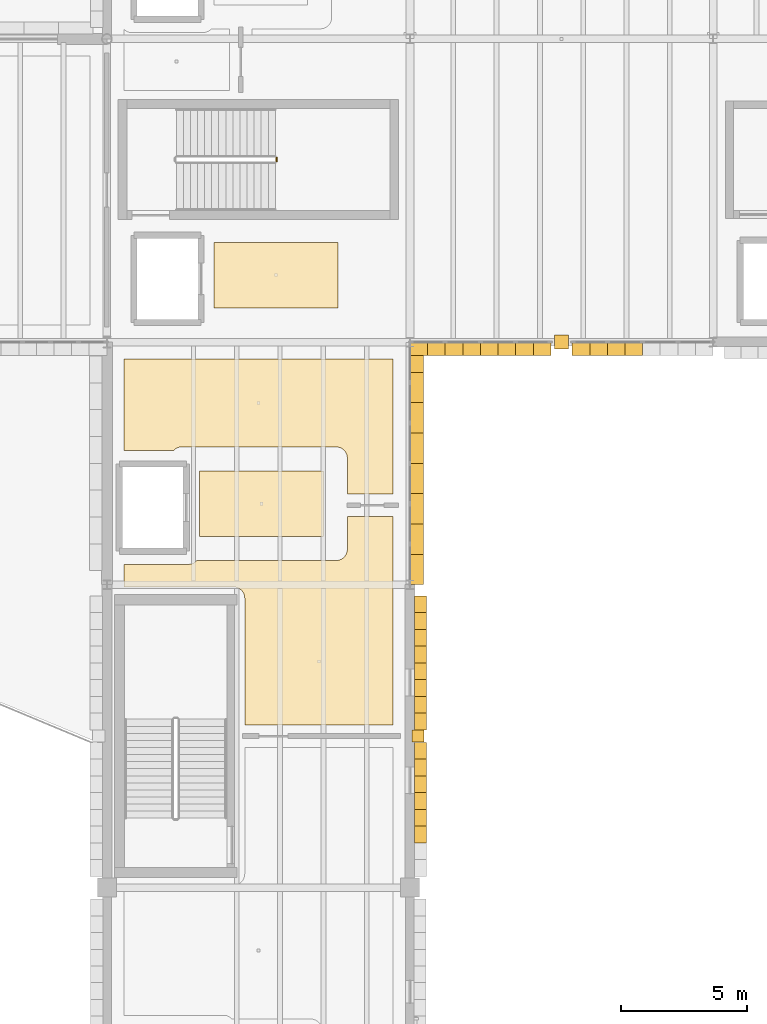
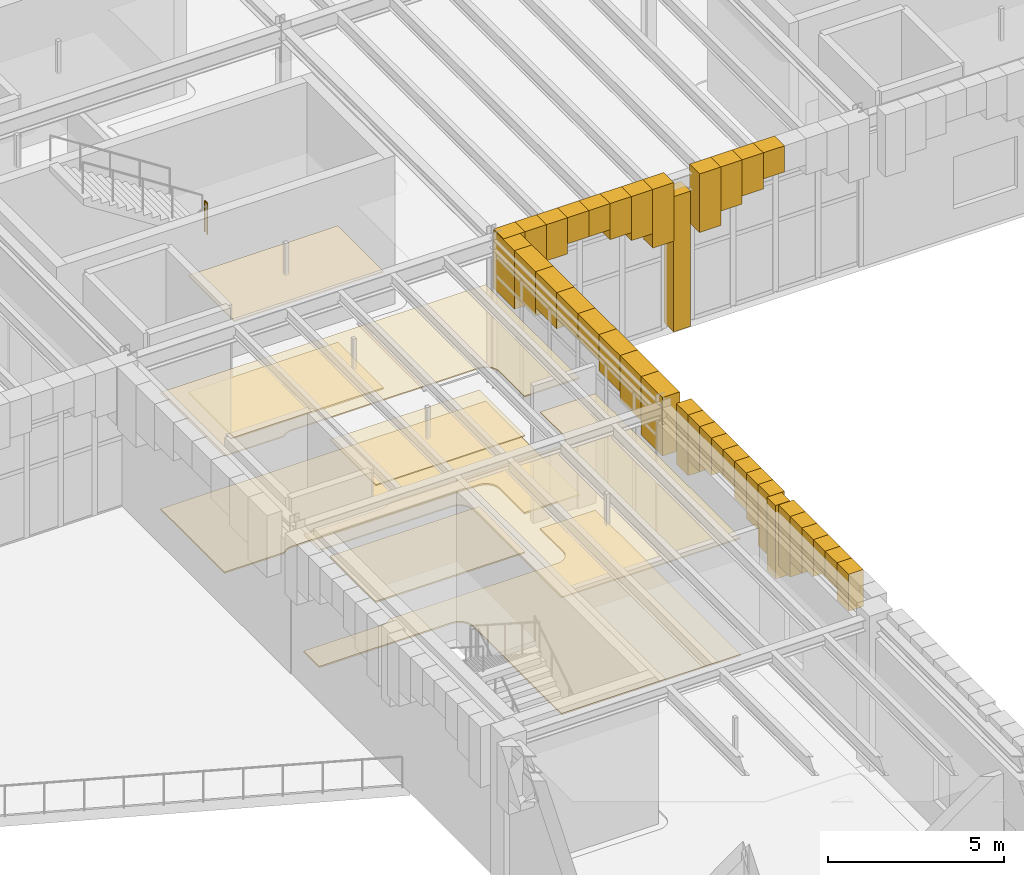
# One storey, part 97 of 103: 44 coverings, 1 railing.
"""IFC4 building model written with IfcOpenShell, lengths in metres."""

import ifcopenshell
import ifcopenshell.guid

model = None  # the IFC model being written
_history = None  # IfcOwnerHistory: only IFC2X3 demands one
_inside = {}  # id of a spatial element -> (the spatial element, [elements in it])
_under = {}  # id of a project, library or spatial element -> (it, [spatial elements below it])
_declared = {}  # id of a project -> (the project, [libraries it declares])
_typed = {}  # id of a type object -> (the type object, [elements of that type])
_made_of = {}  # id of a material, layer set ... -> (it, [elements and type objects made of it])


def new_model(schema):
    """Start an empty IFC model of exactly this schema.

    Asked for "IFC4X3", IfcOpenShell would pick the latest addendum, in which some entities
    have other attributes; the version numbers below select the first issue.
    IFC2X3 requires an IfcOwnerHistory on every rooted entity: one is made here for all.
    """
    global model, _history
    if schema == "IFC4X3":
        model = ifcopenshell.file(schema_version=(4, 3, 0, 0))
    else:
        model = ifcopenshell.file(schema=schema)
    _inside.clear()
    _under.clear()
    _declared.clear()
    _typed.clear()
    _made_of.clear()
    _history = None
    if model.schema == "IFC2X3":
        org = make("IfcOrganization", Name="unknown")
        user = make(
            "IfcPersonAndOrganization",
            ThePerson=make("IfcPerson", FamilyName="unknown"),
            TheOrganization=org,
        )
        app = make(
            "IfcApplication",
            ApplicationDeveloper=org,
            Version="unknown",
            ApplicationFullName="unknown",
            ApplicationIdentifier="unknown",
        )
        _history = make(
            "IfcOwnerHistory",
            OwningUser=user,
            OwningApplication=app,
            ChangeAction="ADDED",
            CreationDate=0,
        )
    return model


def make(cls, **values):
    """One entity of the class cls with the attributes given. An attribute that is None is left unset."""
    return model.create_entity(
        cls, **{name: value for name, value in values.items() if value is not None}
    )


def rooted(cls, **values):
    """An entity with a GlobalId (a new one), such as an element, a storey or a relation."""
    return make(cls, GlobalId=ifcopenshell.guid.new(), OwnerHistory=_history, **values)


def si_unit(unit_type, name, prefix=None):
    """IfcSIUnit, for example si_unit("LENGTHUNIT", "METRE", prefix="MILLI")."""
    return make("IfcSIUnit", UnitType=unit_type, Prefix=prefix, Name=name)


def assignment(units):
    """IfcUnitAssignment: the units of a project."""
    return None if units is None else make("IfcUnitAssignment", Units=units)


def point(xyz):
    """IfcCartesianPoint."""
    return None if xyz is None else make("IfcCartesianPoint", Coordinates=xyz)


def direction(xyz):
    """IfcDirection."""
    return None if xyz is None else make("IfcDirection", DirectionRatios=xyz)


def frame(location, z_axis=None, x_axis=None):
    """IfcAxis2Placement3D, a coordinate frame: its origin and axes. An axis left out is left unset."""
    return make(
        "IfcAxis2Placement3D",
        Location=point(location),
        Axis=direction(z_axis),
        RefDirection=direction(x_axis),
    )


def frame_2d(location, x_axis=None):
    """IfcAxis2Placement2D, a coordinate frame in the plane: its origin and x axis."""
    return make(
        "IfcAxis2Placement2D", Location=point(location), RefDirection=direction(x_axis)
    )


def origin():
    """The frame at (0, 0, 0) with its axes left unset."""
    return frame((0.0, 0.0, 0.0))


def origin_2d():
    """The frame at (0, 0) in the plane with its x axis left unset."""
    return frame_2d((0.0, 0.0))


def place(relative_to, where):
    """IfcLocalPlacement: puts the frame where relative to a parent placement (None: the world)."""
    return make(
        "IfcLocalPlacement", PlacementRelTo=relative_to, RelativePlacement=where
    )


def context(
    kind, dimensions, precision=None, world=None, true_north=None, identifier=None
):
    """IfcGeometricRepresentationContext, for example the 3D "Model" context."""
    return make(
        "IfcGeometricRepresentationContext",
        ContextIdentifier=identifier,
        ContextType=kind,
        CoordinateSpaceDimension=dimensions,
        Precision=precision,
        WorldCoordinateSystem=world,
        TrueNorth=true_north,
    )


def subcontext(parent, identifier, kind, view, scale=None):
    """IfcGeometricRepresentationSubContext, for example "Body" below "Model"."""
    return make(
        "IfcGeometricRepresentationSubContext",
        ContextIdentifier=identifier,
        ContextType=kind,
        ParentContext=parent,
        TargetScale=scale,
        TargetView=view,
    )


def project(units=None, contexts=None):
    """IfcProject with its units and contexts."""
    return rooted(
        "IfcProject",
        Name="project",
        RepresentationContexts=contexts,
        UnitsInContext=assignment(units),
    )


def spatial(cls, under=None, at=None, **own):
    """A site, building, storey or space (cls), placed at a placement, below another one or the project."""
    s = rooted(cls, ObjectPlacement=at, **own)
    if under is not None:
        _under.setdefault(under.id(), (under, []))[1].append(s)
    return s


def polyline(points):
    """IfcPolyline through the points."""
    return make("IfcPolyline", Points=[point(p) for p in points])


def profile(cls, at=None, kind="AREA", **sizes):
    """A parametric profile (cls). Its sizes go by their IFC names, for example OverallWidth=200.0."""
    return make(cls, ProfileType=kind, Position=at, **sizes)


def circle(**sizes):
    """IfcCircleProfileDef."""
    return profile("IfcCircleProfileDef", **sizes)


def outline(outer, holes=None, kind="AREA"):
    """IfcArbitraryClosedProfileDef: a profile drawn as a closed curve; with holes, ...WithVoids."""
    if holes is None:
        return make("IfcArbitraryClosedProfileDef", ProfileType=kind, OuterCurve=outer)
    return make(
        "IfcArbitraryProfileDefWithVoids",
        ProfileType=kind,
        OuterCurve=outer,
        InnerCurves=holes,
    )


def extrude(swept, where, along, depth):
    """IfcExtrudedAreaSolid: the profile swept, set in the frame where, extruded along a direction by depth."""
    return make(
        "IfcExtrudedAreaSolid",
        SweptArea=swept,
        Position=where,
        ExtrudedDirection=direction(along),
        Depth=depth,
    )


def shape(context_of_items, identifier, shape_type, items):
    """IfcShapeRepresentation: the items that make up one representation, for example the "Body"."""
    return make(
        "IfcShapeRepresentation",
        ContextOfItems=context_of_items,
        RepresentationIdentifier=identifier,
        RepresentationType=shape_type,
        Items=items,
    )


def material(Name=None, Category=None):
    """IfcMaterial."""
    return make("IfcMaterial", Name=Name, Category=Category)


def layer(
    of_material, thickness, ventilated=None, Name=None, Category=None, Priority=None
):
    """IfcMaterialLayer: one layer of a wall or slab, of a material (None: an air gap)."""
    return make(
        "IfcMaterialLayer",
        Material=of_material,
        LayerThickness=thickness,
        IsVentilated=ventilated,
        Name=Name,
        Category=Category,
        Priority=Priority,
    )


def layer_set(layers, Name=None):
    """IfcMaterialLayerSet."""
    return make("IfcMaterialLayerSet", MaterialLayers=layers, LayerSetName=Name)


def made_of(thing, what):
    """Note that an element or type object is made of a material, layer set ...; save() writes the relation."""
    if what is not None:
        _made_of.setdefault(what.id(), (what, []))[1].append(thing)
    return thing


def type_object(cls, material=None, **own):
    """A type object (cls), such as IfcWallType, which elements share."""
    return made_of(rooted(cls, **own), material)


def element(
    cls,
    number,
    at=None,
    inside=None,
    cuts=None,
    type_object=None,
    material=None,
    context=None,
    identifier="Body",
    shape_type=None,
    held_by="IfcProductDefinitionShape",
    body=None,
    shapes=None,
    **own,
):
    """One element of the class cls, such as IfcWall. Its Tag is "e" and its number.

    at: its placement. inside: the storey or other place that contains it. cuts: it is an
    opening in that element (IfcRelVoidsElement). A single representation is given by context,
    identifier, shape_type and body (its items); several are given by shapes. held_by: the class
    of the entity that holds the representations. save() writes the other relations.
    """
    e = rooted(cls, Tag="e%d" % number, ObjectPlacement=at, **own)
    if body is not None:
        shapes = [shape(context, identifier, shape_type, body)]
    if shapes is not None:
        e.Representation = make(held_by, Representations=shapes)
    if inside is not None:
        _inside.setdefault(inside.id(), (inside, []))[1].append(e)
    if cuts is not None:
        rooted(
            "IfcRelVoidsElement", RelatingBuildingElement=cuts, RelatedOpeningElement=e
        )
    if type_object is not None:
        _typed.setdefault(type_object.id(), (type_object, []))[1].append(e)
    return made_of(e, material)


def aggregate(whole, parts):
    """IfcRelAggregates: a whole, such as a stair, and the parts it consists of."""
    return rooted("IfcRelAggregates", RelatingObject=whole, RelatedObjects=parts)


def save(model, path):
    """Write the relations noted so far, then the file.

    IfcRelAggregates (storeys below a building ...), IfcRelContainedInSpatialStructure (elements
    in a storey), IfcRelDefinesByType, IfcRelAssociatesMaterial and IfcRelDeclares: one each for
    every whole, place, type object, material and project.
    """
    for whole, parts in _under.values():
        aggregate(whole, parts)
    for where, things in _inside.values():
        rooted(
            "IfcRelContainedInSpatialStructure",
            RelatedElements=things,
            RelatingStructure=where,
        )
    for kind, things in _typed.values():
        rooted("IfcRelDefinesByType", RelatedObjects=things, RelatingType=kind)
    for what, things in _made_of.values():
        rooted("IfcRelAssociatesMaterial", RelatedObjects=things, RelatingMaterial=what)
    for by, libraries in _declared.values():
        rooted("IfcRelDeclares", RelatingContext=by, RelatedDefinitions=libraries)
    model.write(path)


model = new_model("IFC4")

# Units and contexts
model_context = context("Model", 3, precision=1e-05, world=origin(), true_north=direction((0.0, 1.0)))
body_context = subcontext(model_context, "Body", "Model", "MODEL_VIEW")
ifc_project = project(units=[si_unit("LENGTHUNIT", "METRE"), si_unit("AREAUNIT", "SQUARE_METRE"), si_unit("VOLUMEUNIT", "CUBIC_METRE"), si_unit("PLANEANGLEUNIT", "RADIAN"), si_unit("MASSUNIT", "GRAM", prefix="KILO")], contexts=[model_context])

# Site, building, storey
site_placement = place(None, origin())
site = spatial("IfcSite", under=ifc_project, at=site_placement, CompositionType="ELEMENT")
building_placement = place(site_placement, origin())
building = spatial("IfcBuilding", under=site, at=building_placement, Name="Zlatogorsky Bluff Art Gallery", CompositionType="ELEMENT")
storey_placement = place(building_placement, origin())
storey = spatial("IfcBuildingStorey", under=building, at=storey_placement, Name="L00", CompositionType="ELEMENT", Elevation=0.0)

# Coverings
ifc_material_1 = material(Name="Perforated Gypsum Acoustic Board", Category="gypsum")
ifc_layer_1 = layer(ifc_material_1, 0.0400390625)
ifc_layer_set_1 = layer_set([ifc_layer_1], Name="Acoustic Gallery Ceiling CLG-01")
covering_type_1 = type_object("IfcCoveringType", Name="Acoustic Gallery Ceiling CLG-01", PredefinedType="CEILING", material=ifc_layer_set_1)
covering_1_placement = place(storey_placement, frame((0.0, 0.0, 4.050048828125)))
element("IfcCovering", 1, at=covering_1_placement, inside=storey, type_object=covering_type_1, Name="Firefighting Lift Lobby FL-1 acoustic ceiling", PredefinedType="CEILING", context=body_context, shape_type="SweptSolid", body=[
    extrude(outline(polyline([(128.570068359375, 78.89990234375), (128.570068359375, 76.300048828125), (123.669921875, 76.300048828125), (123.669921875, 78.89990234375), (128.570068359375, 78.89990234375)])), origin(), (0.0, 0.0, 1.0), 0.0400390625),
])
covering_2_placement = place(storey_placement, frame((0.0, 0.0, 4.050048828125)))
element("IfcCovering", 2, at=covering_2_placement, inside=storey, type_object=covering_type_1, Name="Firefighting Lift Lobby FL-2 acoustic ceiling", PredefinedType="CEILING", context=body_context, shape_type="SweptSolid", body=[
    extrude(outline(polyline([(129.14990234375, 87.949951171875), (129.14990234375, 85.35009765625), (124.25, 85.35009765625), (124.25, 87.949951171875), (129.14990234375, 87.949951171875)])), origin(), (0.0, 0.0, 1.0), 0.0400390625),
])
covering_3_placement = place(storey_placement, frame((0.0, 0.0, 4.050048828125)))
element("IfcCovering", 3, at=covering_3_placement, inside=storey, type_object=covering_type_1, Name="East Cloister Circulation Corridor acoustic ceiling", PredefinedType="CEILING", context=body_context, shape_type="SweptSolid", body=[
    extrude(outline(polyline([(123.219970703125, 75.199951171875), (123.26416015625, 75.2021484375), (123.307861328125, 75.20849609375), (123.3505859375, 75.219482421875), (123.39208984375, 75.234375), (123.43212890625, 75.253173828125), (123.469970703125, 75.27587890625), (123.505615234375, 75.302001953125), (123.5380859375, 75.331787109375), (123.5546875, 75.35009765625), (129.070068359375, 75.35009765625), (129.114013671875, 75.352294921875), (129.15771484375, 75.358642578125), (129.20068359375, 75.369384765625), (129.2421875, 75.38427734375), (129.281982421875, 75.403076171875), (129.320068359375, 75.42578125), (129.35546875, 75.4521484375), (129.38818359375, 75.481689453125), (129.41796875, 75.514404296875), (129.444091796875, 75.550048828125), (129.466796875, 75.587890625), (129.485595703125, 75.627685546875), (129.50048828125, 75.66943359375), (129.511474609375, 75.712158203125), (129.517822265625, 75.755859375), (129.52001953125, 75.800048828125), (129.52001953125, 77.094970703125), (131.330078125, 77.094970703125), (131.330078125, 68.85009765625), (125.4599609375, 68.85009765625), (125.4599609375, 73.85107421875), (125.457763671875, 73.895263671875), (125.451416015625, 73.939208984375), (125.451171875, 73.940185546875), (125.44921875, 73.94970703125), (125.448974609375, 73.950439453125), (125.43701171875, 73.993896484375), (125.4208984375, 74.03564453125), (125.42041015625, 74.03662109375), (125.419921875, 74.03759765625), (125.402099609375, 74.0732421875), (125.401611328125, 74.07421875), (125.382080078125, 74.106201171875), (125.359619140625, 74.13671875), (125.3583984375, 74.13818359375), (125.3251953125, 74.17529296875), (125.2880859375, 74.20849609375), (125.28662109375, 74.209716796875), (125.25634765625, 74.23193359375), (125.22412109375, 74.251708984375), (125.22314453125, 74.252197265625), (125.1875, 74.27001953125), (125.185791015625, 74.270751953125), (125.143798828125, 74.287109375), (125.1005859375, 74.298828125), (125.099609375, 74.299072265625), (125.09033203125, 74.301025390625), (125.08935546875, 74.30126953125), (125.04541015625, 74.307861328125), (125.0009765625, 74.31005859375), (120.669921875, 74.31005859375), (120.669921875, 75.199951171875), (123.219970703125, 75.199951171875)])), origin(), (0.0, 0.0, 1.0), 0.0400390625),
])
covering_4_placement = place(storey_placement, frame((0.0, 0.0, 4.050048828125)))
element("IfcCovering", 4, at=covering_4_placement, inside=storey, type_object=covering_type_1, Name="East Cloister Circulation Corridor acoustic ceiling", PredefinedType="CEILING", context=body_context, shape_type="SweptSolid", body=[
    extrude(outline(polyline([(120.669921875, 83.330078125), (131.330078125, 83.330078125), (131.330078125, 77.9951171875), (129.52001953125, 77.9951171875), (129.52001953125, 79.39990234375), (129.517822265625, 79.444091796875), (129.511474609375, 79.48779296875), (129.50048828125, 79.530517578125), (129.485595703125, 79.572265625), (129.466796875, 79.612060546875), (129.444091796875, 79.64990234375), (129.41796875, 79.685546875), (129.38818359375, 79.71826171875), (129.35546875, 79.747802734375), (129.320068359375, 79.774169921875), (129.281982421875, 79.796875), (129.2421875, 79.815673828125), (129.20068359375, 79.83056640625), (129.15771484375, 79.84130859375), (129.114013671875, 79.847900390625), (129.070068359375, 79.85009765625), (122.969970703125, 79.85009765625), (122.92578125, 79.847900390625), (122.882080078125, 79.84130859375), (122.83935546875, 79.83056640625), (122.7978515625, 79.815673828125), (122.7578125, 79.796875), (122.719970703125, 79.774169921875), (122.6845703125, 79.747802734375), (122.65185546875, 79.71826171875), (122.63525390625, 79.699951171875), (120.669921875, 79.699951171875), (120.669921875, 83.330078125)])), origin(), (0.0, 0.0, 1.0), 0.0400390625),
])
ifc_material_2 = material(Name="Honed Red Agra-Tone Quartzitic Sandstone", Category="masonry")
ifc_layer_2 = layer(ifc_material_2, 0.1201171875)
ifc_layer_set_2 = layer_set([ifc_layer_2], Name="Carved Sandstone Cladding CLD-02")
covering_type_2 = type_object("IfcCoveringType", Name="Carved Sandstone Cladding CLD-02", PredefinedType="CLADDING", material=ifc_layer_set_2)
covering_5_placement = place(storey_placement, frame((0.0, 0.0, 2.81005859375)))
element("IfcCovering", 5, at=covering_5_placement, inside=storey, type_object=covering_type_2, Name="Mughal blind-arch sandstone pilaster L00.E.10.6", PredefinedType="CLADDING", context=body_context, shape_type="SweptSolid", body=[
    extrude(outline(polyline([(132.080078125, 68.159912109375), (132.56005859375, 68.159912109375), (132.56005859375, 68.639892578125), (132.080078125, 68.639892578125), (132.080078125, 68.159912109375)])), origin(), (0.0, 0.0, 1.0), 2.550048828125),
])
covering_6_placement = place(storey_placement, frame((0.0, 0.0, 4.07666015625)))
element("IfcCovering", 6, at=covering_6_placement, inside=storey, type_object=covering_type_2, Name="Pointed Mughal arch voussoir spandrel WARCH-L00-E-10-06-A.3", PredefinedType="CLADDING", context=body_context, shape_type="SweptSolid", body=[
    extrude(outline(polyline([(132.169921875, 64.175048828125), (132.169921875, 64.83740234375), (132.659912109375, 64.83740234375), (132.659912109375, 64.175048828125), (132.169921875, 64.175048828125)])), origin(), (0.0, 0.0, 1.0), 1.283447265625),
])
covering_7_placement = place(storey_placement, frame((0.0, 0.0, 4.4453125)))
element("IfcCovering", 7, at=covering_7_placement, inside=storey, type_object=covering_type_2, Name="Pointed Mughal arch voussoir spandrel WARCH-L00-E-10-06-A.4", PredefinedType="CLADDING", context=body_context, shape_type="SweptSolid", body=[
    extrude(outline(polyline([(132.169921875, 64.83740234375), (132.169921875, 65.5), (132.659912109375, 65.5), (132.659912109375, 64.83740234375), (132.169921875, 64.83740234375)])), origin(), (0.0, 0.0, 1.0), 0.914794921875),
])
covering_8_placement = place(storey_placement, frame((0.0, 0.0, 4.4453125)))
element("IfcCovering", 8, at=covering_8_placement, inside=storey, type_object=covering_type_2, Name="Pointed Mughal arch voussoir spandrel WARCH-L00-E-10-06-A.5", PredefinedType="CLADDING", context=body_context, shape_type="SweptSolid", body=[
    extrude(outline(polyline([(132.169921875, 65.5), (132.169921875, 66.16259765625), (132.659912109375, 66.16259765625), (132.659912109375, 65.5), (132.169921875, 65.5)])), origin(), (0.0, 0.0, 1.0), 0.914794921875),
])
covering_9_placement = place(storey_placement, frame((0.0, 0.0, 4.07666015625)))
element("IfcCovering", 9, at=covering_9_placement, inside=storey, type_object=covering_type_2, Name="Pointed Mughal arch voussoir spandrel WARCH-L00-E-10-06-A.6", PredefinedType="CLADDING", context=body_context, shape_type="SweptSolid", body=[
    extrude(outline(polyline([(132.169921875, 66.16259765625), (132.169921875, 66.824951171875), (132.659912109375, 66.824951171875), (132.659912109375, 66.16259765625), (132.169921875, 66.16259765625)])), origin(), (0.0, 0.0, 1.0), 1.283447265625),
])
covering_10_placement = place(storey_placement, frame((0.0, 0.0, 3.78369140625)))
element("IfcCovering", 10, at=covering_10_placement, inside=storey, type_object=covering_type_2, Name="Pointed Mughal arch voussoir spandrel WARCH-L00-E-10-06-A.7", PredefinedType="CLADDING", context=body_context, shape_type="SweptSolid", body=[
    extrude(outline(polyline([(132.169921875, 66.824951171875), (132.169921875, 67.487548828125), (132.659912109375, 67.487548828125), (132.659912109375, 66.824951171875), (132.169921875, 66.824951171875)])), origin(), (0.0, 0.0, 1.0), 1.576416015625),
])
covering_11_placement = place(storey_placement, frame((0.0, 0.0, 3.25244140625)))
element("IfcCovering", 11, at=covering_11_placement, inside=storey, type_object=covering_type_2, Name="Pointed Mughal arch voussoir spandrel WARCH-L00-E-10-06-A.8", PredefinedType="CLADDING", context=body_context, shape_type="SweptSolid", body=[
    extrude(outline(polyline([(132.169921875, 67.487548828125), (132.169921875, 68.14990234375), (132.659912109375, 68.14990234375), (132.659912109375, 67.487548828125), (132.169921875, 67.487548828125)])), origin(), (0.0, 0.0, 1.0), 2.107666015625),
])
covering_12_placement = place(storey_placement, frame((0.0, 0.0, 3.25244140625)))
element("IfcCovering", 12, at=covering_12_placement, inside=storey, type_object=covering_type_2, Name="Pointed Mughal arch voussoir spandrel WARCH-L00-E-10-06-B.1", PredefinedType="CLADDING", context=body_context, shape_type="SweptSolid", body=[
    extrude(outline(polyline([(132.169921875, 68.64990234375), (132.169921875, 69.3125), (132.659912109375, 69.3125), (132.659912109375, 68.64990234375), (132.169921875, 68.64990234375)])), origin(), (0.0, 0.0, 1.0), 2.107666015625),
])
covering_13_placement = place(storey_placement, frame((0.0, 0.0, 3.78369140625)))
element("IfcCovering", 13, at=covering_13_placement, inside=storey, type_object=covering_type_2, Name="Pointed Mughal arch voussoir spandrel WARCH-L00-E-10-06-B.2", PredefinedType="CLADDING", context=body_context, shape_type="SweptSolid", body=[
    extrude(outline(polyline([(132.169921875, 69.3125), (132.169921875, 69.97509765625), (132.659912109375, 69.97509765625), (132.659912109375, 69.3125), (132.169921875, 69.3125)])), origin(), (0.0, 0.0, 1.0), 1.576416015625),
])
covering_14_placement = place(storey_placement, frame((0.0, 0.0, 4.07666015625)))
element("IfcCovering", 14, at=covering_14_placement, inside=storey, type_object=covering_type_2, Name="Pointed Mughal arch voussoir spandrel WARCH-L00-E-10-06-B.3", PredefinedType="CLADDING", context=body_context, shape_type="SweptSolid", body=[
    extrude(outline(polyline([(132.169921875, 69.97509765625), (132.169921875, 70.637451171875), (132.659912109375, 70.637451171875), (132.659912109375, 69.97509765625), (132.169921875, 69.97509765625)])), origin(), (0.0, 0.0, 1.0), 1.283447265625),
])
covering_15_placement = place(storey_placement, frame((0.0, 0.0, 4.4453125)))
element("IfcCovering", 15, at=covering_15_placement, inside=storey, type_object=covering_type_2, Name="Pointed Mughal arch voussoir spandrel WARCH-L00-E-10-06-B.4", PredefinedType="CLADDING", context=body_context, shape_type="SweptSolid", body=[
    extrude(outline(polyline([(132.169921875, 70.637451171875), (132.169921875, 71.300048828125), (132.659912109375, 71.300048828125), (132.659912109375, 70.637451171875), (132.169921875, 70.637451171875)])), origin(), (0.0, 0.0, 1.0), 0.914794921875),
])
covering_16_placement = place(storey_placement, frame((0.0, 0.0, 4.4453125)))
element("IfcCovering", 16, at=covering_16_placement, inside=storey, type_object=covering_type_2, Name="Pointed Mughal arch voussoir spandrel WARCH-L00-E-10-06-B.5", PredefinedType="CLADDING", context=body_context, shape_type="SweptSolid", body=[
    extrude(outline(polyline([(132.169921875, 71.300048828125), (132.169921875, 71.96240234375), (132.659912109375, 71.96240234375), (132.659912109375, 71.300048828125), (132.169921875, 71.300048828125)])), origin(), (0.0, 0.0, 1.0), 0.914794921875),
])
covering_17_placement = place(storey_placement, frame((0.0, 0.0, 4.07666015625)))
element("IfcCovering", 17, at=covering_17_placement, inside=storey, type_object=covering_type_2, Name="Pointed Mughal arch voussoir spandrel WARCH-L00-E-10-06-B.6", PredefinedType="CLADDING", context=body_context, shape_type="SweptSolid", body=[
    extrude(outline(polyline([(132.169921875, 71.96240234375), (132.169921875, 72.625), (132.659912109375, 72.625), (132.659912109375, 71.96240234375), (132.169921875, 71.96240234375)])), origin(), (0.0, 0.0, 1.0), 1.283447265625),
])
covering_18_placement = place(storey_placement, frame((0.0, 0.0, 3.78369140625)))
element("IfcCovering", 18, at=covering_18_placement, inside=storey, type_object=covering_type_2, Name="Pointed Mughal arch voussoir spandrel WARCH-L00-E-10-06-B.7", PredefinedType="CLADDING", context=body_context, shape_type="SweptSolid", body=[
    extrude(outline(polyline([(132.169921875, 72.625), (132.169921875, 73.28759765625), (132.659912109375, 73.28759765625), (132.659912109375, 72.625), (132.169921875, 72.625)])), origin(), (0.0, 0.0, 1.0), 1.576416015625),
])
covering_19_placement = place(storey_placement, frame((0.0, 0.0, 3.25244140625)))
element("IfcCovering", 19, at=covering_19_placement, inside=storey, type_object=covering_type_2, Name="Pointed Mughal arch voussoir spandrel WARCH-L00-E-10-06-B.8", PredefinedType="CLADDING", context=body_context, shape_type="SweptSolid", body=[
    extrude(outline(polyline([(132.169921875, 73.28759765625), (132.169921875, 73.949951171875), (132.659912109375, 73.949951171875), (132.659912109375, 73.28759765625), (132.169921875, 73.28759765625)])), origin(), (0.0, 0.0, 1.0), 2.107666015625),
])
covering_20_placement = place(storey_placement, frame((0.0, 0.0, 3.327880859375)))
element("IfcCovering", 20, at=covering_20_placement, inside=storey, type_object=covering_type_2, Name="Pointed Mughal arch voussoir spandrel ARCH-CW-L00-E-10-07.1", PredefinedType="CLADDING", context=body_context, shape_type="SweptSolid", body=[
    extrude(outline(polyline([(131.969970703125, 74.39990234375), (131.969970703125, 75.60009765625), (132.5400390625, 75.60009765625), (132.5400390625, 74.39990234375), (131.969970703125, 74.39990234375)])), origin(), (0.0, 0.0, 1.0), 2.0322265625),
])
covering_21_placement = place(storey_placement, frame((0.0, 0.0, 3.82958984375)))
element("IfcCovering", 21, at=covering_21_placement, inside=storey, type_object=covering_type_2, Name="Pointed Mughal arch voussoir spandrel ARCH-CW-L00-E-10-07.2", PredefinedType="CLADDING", context=body_context, shape_type="SweptSolid", body=[
    extrude(outline(polyline([(131.969970703125, 75.60009765625), (131.969970703125, 76.800048828125), (132.5400390625, 76.800048828125), (132.5400390625, 75.60009765625), (131.969970703125, 75.60009765625)])), origin(), (0.0, 0.0, 1.0), 1.530517578125),
])
covering_22_placement = place(storey_placement, frame((0.0, 0.0, 4.1064453125)))
element("IfcCovering", 22, at=covering_22_placement, inside=storey, type_object=covering_type_2, Name="Pointed Mughal arch voussoir spandrel ARCH-CW-L00-E-10-07.3", PredefinedType="CLADDING", context=body_context, shape_type="SweptSolid", body=[
    extrude(outline(polyline([(131.969970703125, 76.800048828125), (131.969970703125, 78.0), (132.5400390625, 78.0), (132.5400390625, 76.800048828125), (131.969970703125, 76.800048828125)])), origin(), (0.0, 0.0, 1.0), 1.253662109375),
])
covering_23_placement = place(storey_placement, frame((0.0, 0.0, 4.45458984375)))
element("IfcCovering", 23, at=covering_23_placement, inside=storey, type_object=covering_type_2, Name="Pointed Mughal arch voussoir spandrel ARCH-CW-L00-E-10-07.4", PredefinedType="CLADDING", context=body_context, shape_type="SweptSolid", body=[
    extrude(outline(polyline([(131.969970703125, 78.0), (131.969970703125, 79.199951171875), (132.5400390625, 79.199951171875), (132.5400390625, 78.0), (131.969970703125, 78.0)])), origin(), (0.0, 0.0, 1.0), 0.905517578125),
])
covering_24_placement = place(storey_placement, frame((0.0, 0.0, 4.45458984375)))
element("IfcCovering", 24, at=covering_24_placement, inside=storey, type_object=covering_type_2, Name="Pointed Mughal arch voussoir spandrel ARCH-CW-L00-E-10-07.5", PredefinedType="CLADDING", context=body_context, shape_type="SweptSolid", body=[
    extrude(outline(polyline([(131.969970703125, 79.199951171875), (131.969970703125, 80.39990234375), (132.5400390625, 80.39990234375), (132.5400390625, 79.199951171875), (131.969970703125, 79.199951171875)])), origin(), (0.0, 0.0, 1.0), 0.905517578125),
])
covering_25_placement = place(storey_placement, frame((0.0, 0.0, 4.1064453125)))
element("IfcCovering", 25, at=covering_25_placement, inside=storey, type_object=covering_type_2, Name="Pointed Mughal arch voussoir spandrel ARCH-CW-L00-E-10-07.6", PredefinedType="CLADDING", context=body_context, shape_type="SweptSolid", body=[
    extrude(outline(polyline([(131.969970703125, 80.39990234375), (131.969970703125, 81.60009765625), (132.5400390625, 81.60009765625), (132.5400390625, 80.39990234375), (131.969970703125, 80.39990234375)])), origin(), (0.0, 0.0, 1.0), 1.253662109375),
])
covering_26_placement = place(storey_placement, frame((0.0, 0.0, 3.82958984375)))
element("IfcCovering", 26, at=covering_26_placement, inside=storey, type_object=covering_type_2, Name="Pointed Mughal arch voussoir spandrel ARCH-CW-L00-E-10-07.7", PredefinedType="CLADDING", context=body_context, shape_type="SweptSolid", body=[
    extrude(outline(polyline([(131.969970703125, 81.60009765625), (131.969970703125, 82.800048828125), (132.5400390625, 82.800048828125), (132.5400390625, 81.60009765625), (131.969970703125, 81.60009765625)])), origin(), (0.0, 0.0, 1.0), 1.530517578125),
])
covering_27_placement = place(storey_placement, frame((0.0, 0.0, 3.327880859375)))
element("IfcCovering", 27, at=covering_27_placement, inside=storey, type_object=covering_type_2, Name="Pointed Mughal arch voussoir spandrel ARCH-CW-L00-E-10-07.8", PredefinedType="CLADDING", context=body_context, shape_type="SweptSolid", body=[
    extrude(outline(polyline([(131.969970703125, 82.800048828125), (131.969970703125, 84.0), (132.5400390625, 84.0), (132.5400390625, 82.800048828125), (131.969970703125, 82.800048828125)])), origin(), (0.0, 0.0, 1.0), 2.0322265625),
])
covering_28_placement = place(storey_placement, frame((0.0, 0.0, -0.030029296875)))
element("IfcCovering", 28, at=covering_28_placement, inside=storey, type_object=covering_type_2, Name="Mughal dalan central sandstone pier L00 S 11.8", PredefinedType="CLADDING", context=body_context, shape_type="SweptSolid", body=[
    extrude(outline(polyline([(137.719970703125, 83.719970703125), (138.280029296875, 83.719970703125), (138.280029296875, 84.280029296875), (137.719970703125, 84.280029296875), (137.719970703125, 83.719970703125)])), origin(), (0.0, 0.0, 1.0), 4.68994140625),
])
covering_29_placement = place(storey_placement, frame((0.0, 0.0, 3.327880859375)))
element("IfcCovering", 29, at=covering_29_placement, inside=storey, type_object=covering_type_2, Name="Pointed Mughal arch voussoir spandrel ARCH-CW-L00-S-11-08-A.1", PredefinedType="CLADDING", context=body_context, shape_type="SweptSolid", body=[
    extrude(outline(polyline([(132.0, 83.4599609375), (132.697509765625, 83.4599609375), (132.697509765625, 84.030029296875), (132.0, 84.030029296875), (132.0, 83.4599609375)])), origin(), (0.0, 0.0, 1.0), 2.0322265625),
])
covering_30_placement = place(storey_placement, frame((0.0, 0.0, 3.82958984375)))
element("IfcCovering", 30, at=covering_30_placement, inside=storey, type_object=covering_type_2, Name="Pointed Mughal arch voussoir spandrel ARCH-CW-L00-S-11-08-A.2", PredefinedType="CLADDING", context=body_context, shape_type="SweptSolid", body=[
    extrude(outline(polyline([(132.697509765625, 83.4599609375), (133.39501953125, 83.4599609375), (133.39501953125, 84.030029296875), (132.697509765625, 84.030029296875), (132.697509765625, 83.4599609375)])), origin(), (0.0, 0.0, 1.0), 1.530517578125),
])
covering_31_placement = place(storey_placement, frame((0.0, 0.0, 4.1064453125)))
element("IfcCovering", 31, at=covering_31_placement, inside=storey, type_object=covering_type_2, Name="Pointed Mughal arch voussoir spandrel ARCH-CW-L00-S-11-08-A.3", PredefinedType="CLADDING", context=body_context, shape_type="SweptSolid", body=[
    extrude(outline(polyline([(133.39501953125, 83.4599609375), (134.092529296875, 83.4599609375), (134.092529296875, 84.030029296875), (133.39501953125, 84.030029296875), (133.39501953125, 83.4599609375)])), origin(), (0.0, 0.0, 1.0), 1.253662109375),
])
covering_32_placement = place(storey_placement, frame((0.0, 0.0, 4.45458984375)))
element("IfcCovering", 32, at=covering_32_placement, inside=storey, type_object=covering_type_2, Name="Pointed Mughal arch voussoir spandrel ARCH-CW-L00-S-11-08-A.4", PredefinedType="CLADDING", context=body_context, shape_type="SweptSolid", body=[
    extrude(outline(polyline([(134.092529296875, 83.4599609375), (134.7900390625, 83.4599609375), (134.7900390625, 84.030029296875), (134.092529296875, 84.030029296875), (134.092529296875, 83.4599609375)])), origin(), (0.0, 0.0, 1.0), 0.905517578125),
])
covering_33_placement = place(storey_placement, frame((0.0, 0.0, 4.45458984375)))
element("IfcCovering", 33, at=covering_33_placement, inside=storey, type_object=covering_type_2, Name="Pointed Mughal arch voussoir spandrel ARCH-CW-L00-S-11-08-A.5", PredefinedType="CLADDING", context=body_context, shape_type="SweptSolid", body=[
    extrude(outline(polyline([(134.7900390625, 83.4599609375), (135.487548828125, 83.4599609375), (135.487548828125, 84.030029296875), (134.7900390625, 84.030029296875), (134.7900390625, 83.4599609375)])), origin(), (0.0, 0.0, 1.0), 0.905517578125),
])
covering_34_placement = place(storey_placement, frame((0.0, 0.0, 4.1064453125)))
element("IfcCovering", 34, at=covering_34_placement, inside=storey, type_object=covering_type_2, Name="Pointed Mughal arch voussoir spandrel ARCH-CW-L00-S-11-08-A.6", PredefinedType="CLADDING", context=body_context, shape_type="SweptSolid", body=[
    extrude(outline(polyline([(135.487548828125, 83.4599609375), (136.18505859375, 83.4599609375), (136.18505859375, 84.030029296875), (135.487548828125, 84.030029296875), (135.487548828125, 83.4599609375)])), origin(), (0.0, 0.0, 1.0), 1.253662109375),
])
covering_35_placement = place(storey_placement, frame((0.0, 0.0, 3.82958984375)))
element("IfcCovering", 35, at=covering_35_placement, inside=storey, type_object=covering_type_2, Name="Pointed Mughal arch voussoir spandrel ARCH-CW-L00-S-11-08-A.7", PredefinedType="CLADDING", context=body_context, shape_type="SweptSolid", body=[
    extrude(outline(polyline([(136.18505859375, 83.4599609375), (136.882568359375, 83.4599609375), (136.882568359375, 84.030029296875), (136.18505859375, 84.030029296875), (136.18505859375, 83.4599609375)])), origin(), (0.0, 0.0, 1.0), 1.530517578125),
])
covering_36_placement = place(storey_placement, frame((0.0, 0.0, 3.327880859375)))
element("IfcCovering", 36, at=covering_36_placement, inside=storey, type_object=covering_type_2, Name="Pointed Mughal arch voussoir spandrel ARCH-CW-L00-S-11-08-A.8", PredefinedType="CLADDING", context=body_context, shape_type="SweptSolid", body=[
    extrude(outline(polyline([(136.882568359375, 83.4599609375), (137.580078125, 83.4599609375), (137.580078125, 84.030029296875), (136.882568359375, 84.030029296875), (136.882568359375, 83.4599609375)])), origin(), (0.0, 0.0, 1.0), 2.0322265625),
])
covering_37_placement = place(storey_placement, frame((0.0, 0.0, 3.327880859375)))
element("IfcCovering", 37, at=covering_37_placement, inside=storey, type_object=covering_type_2, Name="Pointed Mughal arch voussoir spandrel ARCH-CW-L00-S-11-08-B.1", PredefinedType="CLADDING", context=body_context, shape_type="SweptSolid", body=[
    extrude(outline(polyline([(138.419921875, 83.4599609375), (139.117431640625, 83.4599609375), (139.117431640625, 84.030029296875), (138.419921875, 84.030029296875), (138.419921875, 83.4599609375)])), origin(), (0.0, 0.0, 1.0), 2.0322265625),
])
covering_38_placement = place(storey_placement, frame((0.0, 0.0, 3.82958984375)))
element("IfcCovering", 38, at=covering_38_placement, inside=storey, type_object=covering_type_2, Name="Pointed Mughal arch voussoir spandrel ARCH-CW-L00-S-11-08-B.2", PredefinedType="CLADDING", context=body_context, shape_type="SweptSolid", body=[
    extrude(outline(polyline([(139.117431640625, 83.4599609375), (139.81494140625, 83.4599609375), (139.81494140625, 84.030029296875), (139.117431640625, 84.030029296875), (139.117431640625, 83.4599609375)])), origin(), (0.0, 0.0, 1.0), 1.530517578125),
])
covering_39_placement = place(storey_placement, frame((0.0, 0.0, 4.1064453125)))
element("IfcCovering", 39, at=covering_39_placement, inside=storey, type_object=covering_type_2, Name="Pointed Mughal arch voussoir spandrel ARCH-CW-L00-S-11-08-B.3", PredefinedType="CLADDING", context=body_context, shape_type="SweptSolid", body=[
    extrude(outline(polyline([(139.81494140625, 83.4599609375), (140.512451171875, 83.4599609375), (140.512451171875, 84.030029296875), (139.81494140625, 84.030029296875), (139.81494140625, 83.4599609375)])), origin(), (0.0, 0.0, 1.0), 1.253662109375),
])
covering_40_placement = place(storey_placement, frame((0.0, 0.0, 4.45458984375)))
element("IfcCovering", 40, at=covering_40_placement, inside=storey, type_object=covering_type_2, Name="Pointed Mughal arch voussoir spandrel ARCH-CW-L00-S-11-08-B.4", PredefinedType="CLADDING", context=body_context, shape_type="SweptSolid", body=[
    extrude(outline(polyline([(140.512451171875, 83.4599609375), (141.2099609375, 83.4599609375), (141.2099609375, 84.030029296875), (140.512451171875, 84.030029296875), (140.512451171875, 83.4599609375)])), origin(), (0.0, 0.0, 1.0), 0.905517578125),
])

# Railing
ifc_material_3 = material(Name="Architectural Bronze and Laminated Glass", Category="glass")
railing_type = type_object("IfcRailingType", Name="Gallery Guard Rail 1100mm", PredefinedType="GUARDRAIL", material=ifc_material_3)
railing_placement = place(storey_placement, frame((126.719970703125, 91.14990234375, 2.699951171875)))
element("IfcRailing", 41, at=railing_placement, inside=storey, type_object=railing_type, Name="L00 ST-02 stair guard 2", PredefinedType="GUARDRAIL", context=body_context, shape_type="SweptSolid", body=[
    extrude(circle(Radius=0.02392578125, at=origin_2d()), frame((0.0, 0.0, 1.076171875), z_axis=(0.0, 1.0, 0.0), x_axis=(-1.0, 0.0, 0.0)), (0.0, 0.0, 1.0), 0.150146484375),
    extrude(circle(Radius=0.02099609375, at=origin_2d()), origin(), (0.0, 0.0, 1.0), 1.052001953125),
    extrude(circle(Radius=0.02099609375, at=origin_2d()), frame((0.0, 0.150146484375, 0.0)), (0.0, 0.0, 1.0), 1.052001953125),
])

# Coverings
ifc_material_4 = material(Name="Polished Ural Marble Terrazzo", Category="masonry")
ifc_layer_3 = layer(ifc_material_4, 0.050048828125)
ifc_layer_set_3 = layer_set([ifc_layer_3], Name="Terrazzo Gallery Flooring FLR-01")
covering_type_3 = type_object("IfcCoveringType", Name="Terrazzo Gallery Flooring FLR-01", PredefinedType="FLOORING", material=ifc_layer_set_3)
covering_41_placement = place(storey_placement, origin())
element("IfcCovering", 42, at=covering_41_placement, inside=storey, type_object=covering_type_3, Name="Firefighting Lift Lobby FL-1 terrazzo floor finish", PredefinedType="FLOORING", context=body_context, shape_type="SweptSolid", body=[
    extrude(outline(polyline([(128.570068359375, 78.89990234375), (128.570068359375, 76.300048828125), (123.669921875, 76.300048828125), (123.669921875, 78.89990234375), (128.570068359375, 78.89990234375)])), origin(), (0.0, 0.0, 1.0), 0.050048828125),
])
covering_42_placement = place(storey_placement, origin())
element("IfcCovering", 43, at=covering_42_placement, inside=storey, type_object=covering_type_3, Name="Firefighting Lift Lobby FL-2 terrazzo floor finish", PredefinedType="FLOORING", context=body_context, shape_type="SweptSolid", body=[
    extrude(outline(polyline([(129.14990234375, 87.949951171875), (129.14990234375, 85.35009765625), (124.25, 85.35009765625), (124.25, 87.949951171875), (129.14990234375, 87.949951171875)])), origin(), (0.0, 0.0, 1.0), 0.050048828125),
])
covering_43_placement = place(storey_placement, origin())
element("IfcCovering", 44, at=covering_43_placement, inside=storey, type_object=covering_type_3, Name="East Cloister Circulation Corridor terrazzo floor finish", PredefinedType="FLOORING", context=body_context, shape_type="SweptSolid", body=[
    extrude(outline(polyline([(123.219970703125, 75.199951171875), (123.26416015625, 75.2021484375), (123.307861328125, 75.20849609375), (123.3505859375, 75.219482421875), (123.39208984375, 75.234375), (123.43212890625, 75.253173828125), (123.469970703125, 75.27587890625), (123.505615234375, 75.302001953125), (123.5380859375, 75.331787109375), (123.5546875, 75.35009765625), (129.070068359375, 75.35009765625), (129.114013671875, 75.352294921875), (129.15771484375, 75.358642578125), (129.20068359375, 75.369384765625), (129.2421875, 75.38427734375), (129.281982421875, 75.403076171875), (129.320068359375, 75.42578125), (129.35546875, 75.4521484375), (129.38818359375, 75.481689453125), (129.41796875, 75.514404296875), (129.444091796875, 75.550048828125), (129.466796875, 75.587890625), (129.485595703125, 75.627685546875), (129.50048828125, 75.66943359375), (129.511474609375, 75.712158203125), (129.517822265625, 75.755859375), (129.52001953125, 75.800048828125), (129.52001953125, 77.094970703125), (131.330078125, 77.094970703125), (131.330078125, 68.85009765625), (125.4599609375, 68.85009765625), (125.4599609375, 73.85107421875), (125.457763671875, 73.895263671875), (125.451416015625, 73.939208984375), (125.451171875, 73.940185546875), (125.44921875, 73.94970703125), (125.448974609375, 73.950439453125), (125.43701171875, 73.993896484375), (125.4208984375, 74.03564453125), (125.42041015625, 74.03662109375), (125.419921875, 74.03759765625), (125.402099609375, 74.0732421875), (125.401611328125, 74.07421875), (125.382080078125, 74.106201171875), (125.359619140625, 74.13671875), (125.3583984375, 74.13818359375), (125.3251953125, 74.17529296875), (125.2880859375, 74.20849609375), (125.28662109375, 74.209716796875), (125.25634765625, 74.23193359375), (125.22412109375, 74.251708984375), (125.22314453125, 74.252197265625), (125.1875, 74.27001953125), (125.185791015625, 74.270751953125), (125.143798828125, 74.287109375), (125.1005859375, 74.298828125), (125.099609375, 74.299072265625), (125.09033203125, 74.301025390625), (125.08935546875, 74.30126953125), (125.04541015625, 74.307861328125), (125.0009765625, 74.31005859375), (120.669921875, 74.31005859375), (120.669921875, 75.199951171875), (123.219970703125, 75.199951171875)])), origin(), (0.0, 0.0, 1.0), 0.050048828125),
])
covering_44_placement = place(storey_placement, origin())
element("IfcCovering", 45, at=covering_44_placement, inside=storey, type_object=covering_type_3, Name="East Cloister Circulation Corridor terrazzo floor finish", PredefinedType="FLOORING", context=body_context, shape_type="SweptSolid", body=[
    extrude(outline(polyline([(120.669921875, 83.330078125), (131.330078125, 83.330078125), (131.330078125, 77.9951171875), (129.52001953125, 77.9951171875), (129.52001953125, 79.39990234375), (129.517822265625, 79.444091796875), (129.511474609375, 79.48779296875), (129.50048828125, 79.530517578125), (129.485595703125, 79.572265625), (129.466796875, 79.612060546875), (129.444091796875, 79.64990234375), (129.41796875, 79.685546875), (129.38818359375, 79.71826171875), (129.35546875, 79.747802734375), (129.320068359375, 79.774169921875), (129.281982421875, 79.796875), (129.2421875, 79.815673828125), (129.20068359375, 79.83056640625), (129.15771484375, 79.84130859375), (129.114013671875, 79.847900390625), (129.070068359375, 79.85009765625), (122.969970703125, 79.85009765625), (122.92578125, 79.847900390625), (122.882080078125, 79.84130859375), (122.83935546875, 79.83056640625), (122.7978515625, 79.815673828125), (122.7578125, 79.796875), (122.719970703125, 79.774169921875), (122.6845703125, 79.747802734375), (122.65185546875, 79.71826171875), (122.63525390625, 79.699951171875), (120.669921875, 79.699951171875), (120.669921875, 83.330078125)])), origin(), (0.0, 0.0, 1.0), 0.050048828125),
])

save(model, "model.ifc")
